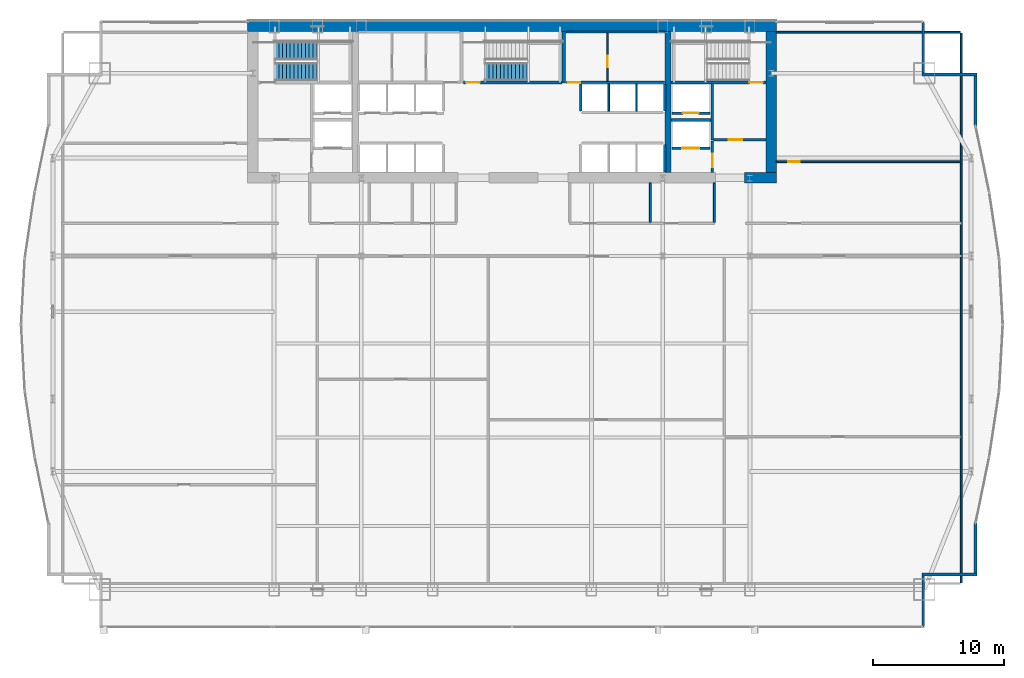
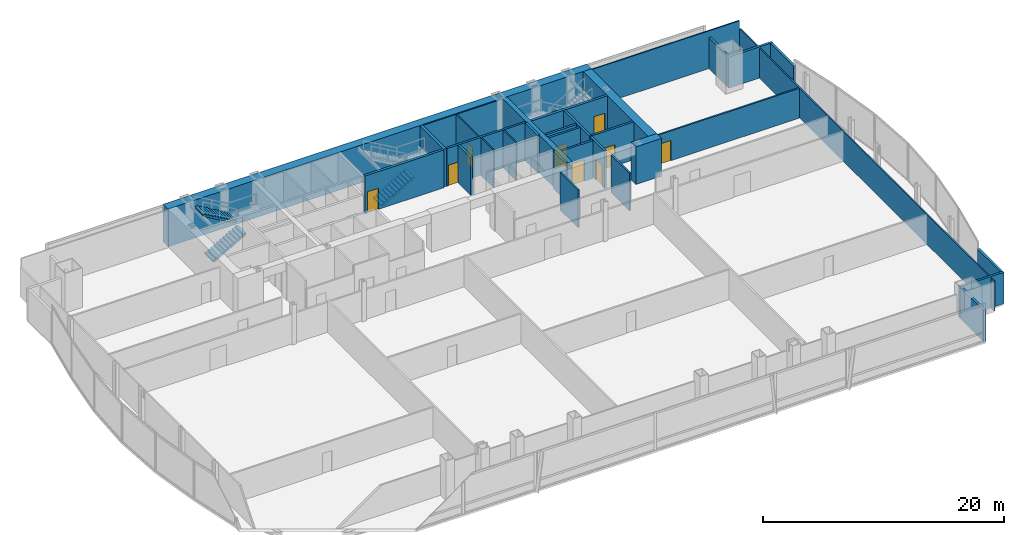
# One storey, part 33 of 36: 32 walls, 9 doors, 3 stair flights, 9 openings, 2 elements without a shape of their own.
"""IFC4 building model written with IfcOpenShell, lengths in metres."""

from ifc_helpers import new_model, si_unit, direction, frame, frame_2d, origin, place, context, subcontext, project, spatial, polyline, rectangle, outline, extrude, material, layer, layer_set, type_object, element, fill, aggregate, save


model = new_model("IFC4")

# Units and contexts
model_context = context("Model", 3, precision=1e-05, world=origin(), true_north=direction((0.0, 1.0)))
body_context = subcontext(model_context, "Body", "Model", "MODEL_VIEW")
ifc_project = project(units=[si_unit("LENGTHUNIT", "METRE"), si_unit("AREAUNIT", "SQUARE_METRE"), si_unit("VOLUMEUNIT", "CUBIC_METRE"), si_unit("PLANEANGLEUNIT", "RADIAN"), si_unit("MASSUNIT", "GRAM", prefix="KILO")], contexts=[model_context])

# Site, building, storey
site_placement = place(None, origin())
site = spatial("IfcSite", under=ifc_project, at=site_placement, CompositionType="ELEMENT")
building_placement = place(site_placement, origin())
building = spatial("IfcBuilding", under=site, at=building_placement, Name="Khoronbel Lancet Exchange", CompositionType="ELEMENT")
storey_placement = place(building_placement, frame((0.0, 0.0, 57.800048828125)))
storey = spatial("IfcBuildingStorey", under=building, at=storey_placement, Name="L13", CompositionType="ELEMENT", Elevation=57.800048828125)

# Walls
ifc_material_1 = material(Name="Concrete C80/95", Category="concrete")
ifc_layer_1 = layer(ifc_material_1, 0.800048828125, Name="Concrete C80/95")
ifc_layer_set_1 = layer_set([ifc_layer_1], Name="Concrete C80/95")
wall_type_1 = type_object("IfcWallType", Name="WL-CW1", PredefinedType="SHEAR", material=ifc_layer_set_1)
wall_1_placement = place(storey_placement, frame((16.199951171875, 53.300048828125, 0.0), z_axis=(0.0, 0.0, 1.0), x_axis=(1.0, 0.0, 0.0)))
element("IfcWall", 1, at=wall_1_placement, inside=storey, type_object=wall_type_1, Name="Level L13 rear core north shear wall", PredefinedType="SHEAR", context=body_context, shape_type="SweptSolid", body=[
    extrude(rectangle(XDim=40.5, YDim=0.800048828125, at=frame_2d((20.25, 0.0))), origin(), (0.0, 0.0, 1.0), 3.820068359375),
])
wall_2_placement = place(storey_placement, frame((56.300048828125, 52.89990234375, 0.0), z_axis=(0.0, 0.0, 1.0), x_axis=(0.0, -1.0, 0.0)))
element("IfcWall", 2, at=wall_2_placement, inside=storey, type_object=wall_type_1, Name="Level L13 rear core east shear wall", PredefinedType="SHEAR", context=body_context, shape_type="SweptSolid", body=[
    extrude(rectangle(XDim=10.7998046875, YDim=0.800048828125, at=frame_2d((5.39990234375, 0.0))), origin(), (0.0, 0.0, 1.0), 3.820068359375),
])
wall_3_placement = place(storey_placement, frame((56.699951171875, 41.699951171875, 0.0), z_axis=(0.0, 0.0, 1.0), x_axis=(-1.0, 0.0, 0.0)))
element("IfcWall", 3, at=wall_3_placement, inside=storey, type_object=wall_type_1, Name="Level L13 rear core south shear wall pier P5", PredefinedType="SHEAR", context=body_context, shape_type="SweptSolid", body=[
    extrude(rectangle(XDim=2.449951171875, YDim=0.800048828125, at=frame_2d((1.22509765625, 0.0))), origin(), (0.0, 0.0, 1.0), 3.820068359375),
])
ifc_material_2 = material(Name="Precast concrete C40/50", Category="concrete")
ifc_layer_2 = layer(ifc_material_2, 0.25, Name="Precast concrete C40/50")
ifc_layer_set_2 = layer_set([ifc_layer_2], Name="Precast concrete C40/50")
wall_type_2 = type_object("IfcWallType", Name="WL-EXT250", PredefinedType="SOLIDWALL", material=ifc_layer_set_2)
wall_4_placement = place(storey_placement, frame((67.9599609375, 53.6298828125, 0.0), z_axis=(0.0, 0.0, 1.0), x_axis=(0.0, -1.0, 0.0)))
element("IfcWall", 4, at=wall_4_placement, inside=storey, type_object=wall_type_2, Name="Level L13 notched-corner limestone pier 14", PredefinedType="SOLIDWALL", context=body_context, shape_type="SweptSolid", body=[
    extrude(rectangle(XDim=3.909912109375, YDim=0.219970703125, at=frame_2d((1.955078125, 0.0))), origin(), (0.0, 0.0, 1.0), 3.159912109375),
])
wall_5_placement = place(storey_placement, frame((67.85009765625, 49.610107421875, 0.0), z_axis=(0.0, 0.0, 1.0), x_axis=(1.0, 0.0, 0.0)))
element("IfcWall", 5, at=wall_5_placement, inside=storey, type_object=wall_type_2, Name="Level L13 notched-corner limestone pier 15", PredefinedType="SOLIDWALL", context=body_context, shape_type="SweptSolid", body=[
    extrude(rectangle(XDim=4.219970703125, YDim=0.219970703125, at=frame_2d((2.10986328125, 0.0))), origin(), (0.0, 0.0, 1.0), 3.159912109375),
])
wall_6_placement = place(storey_placement, frame((71.9599609375, 49.5, 0.0), z_axis=(0.0, 0.0, 1.0), x_axis=(0.0, -1.0, 0.0)))
element("IfcWall", 6, at=wall_6_placement, inside=storey, type_object=wall_type_2, Name="Level L13 notched-corner limestone pier 16", PredefinedType="SOLIDWALL", context=body_context, shape_type="SweptSolid", body=[
    extrude(rectangle(XDim=3.8291015625, YDim=0.219970703125, at=frame_2d((1.91455078125, 0.0))), origin(), (0.0, 0.0, 1.0), 3.159912109375),
])
wall_7_placement = place(storey_placement, frame((71.9599609375, 15.229248046875, 0.0), z_axis=(0.0, 0.0, 1.0), x_axis=(0.0, -1.0, 0.0)))
element("IfcWall", 7, at=wall_7_placement, inside=storey, type_object=wall_type_2, Name="Level L13 notched-corner limestone pier 23", PredefinedType="SOLIDWALL", context=body_context, shape_type="SweptSolid", body=[
    extrude(rectangle(XDim=3.829345703125, YDim=0.219970703125, at=frame_2d((1.91455078125, 0.0))), origin(), (0.0, 0.0, 1.0), 3.159912109375),
])
wall_8_placement = place(storey_placement, frame((72.070068359375, 11.2900390625, 0.0), z_axis=(0.0, 0.0, 1.0), x_axis=(-1.0, 0.0, 0.0)))
element("IfcWall", 8, at=wall_8_placement, inside=storey, type_object=wall_type_2, Name="Level L13 notched-corner limestone pier 24", PredefinedType="SOLIDWALL", context=body_context, shape_type="SweptSolid", body=[
    extrude(rectangle(XDim=4.219970703125, YDim=0.219970703125, at=frame_2d((2.10986328125, 0.0))), origin(), (0.0, 0.0, 1.0), 3.159912109375),
])
wall_9_placement = place(storey_placement, frame((67.9599609375, 11.179931640625, 0.0), z_axis=(0.0, 0.0, 1.0), x_axis=(0.0, -1.0, 0.0)))
element("IfcWall", 9, at=wall_9_placement, inside=storey, type_object=wall_type_2, Name="Level L13 notched-corner limestone pier 25", PredefinedType="SOLIDWALL", context=body_context, shape_type="SweptSolid", body=[
    extrude(rectangle(XDim=3.909912109375, YDim=0.219970703125, at=frame_2d((1.955078125, 0.0))), origin(), (0.0, 0.0, 1.0), 3.159912109375),
])
ifc_material_3 = material(Name="Acoustic Metal-Stud & Mineral-Wool Gypsum Partition 120 mm", Category="gypsum")
ifc_layer_3 = layer(ifc_material_3, 0.1201171875, Name="Acoustic Metal-Stud & Mineral-Wool Gypsum Partition 120 mm")
ifc_layer_set_3 = layer_set([ifc_layer_3], Name="Acoustic Metal-Stud & Mineral-Wool Gypsum Partition 120 mm")
wall_type_3 = type_object("IfcWallType", Name="WL-PRT120", PredefinedType="PARTITIONING", material=ifc_layer_set_3)
for number, where, z_axis, x_axis, name in (
    (10, (47.050048828125, 38.280029296875, 0.0), (0.0, 0.0, 1.0), (0.0, 1.0, 0.0), "Level L13 interior partition PW-NP-M"),
    (11, (51.949951171875, 38.280029296875, 0.0), (0.0, 0.0, 1.0), (0.0, 1.0, 0.0), "Level L13 interior partition PW-NP-1"),
):
    element("IfcWall", number, at=place(storey_placement, frame(where, z_axis=z_axis, x_axis=x_axis)), inside=storey, type_object=wall_type_3, Name=name, PredefinedType="PARTITIONING", context=body_context, shape_type="SweptSolid", body=[
        extrude(rectangle(XDim=3.02001953125, YDim=0.14990234375, at=frame_2d((1.510009765625, 0.0))), origin(), (0.0, 0.0, 1.0), 3.820068359375),
    ])

# Wall, opening, door
wall_10_placement = place(storey_placement, frame((56.699951171875, 42.919921875, 0.0), z_axis=(0.0, 0.0, 1.0), x_axis=(1.0, 0.0, 0.0)))
wall_10 = element("IfcWall", 12, at=wall_10_placement, inside=storey, type_object=wall_type_3, Name="Level L13 interior partition PW-NE-H", PredefinedType="PARTITIONING", context=body_context, shape_type="SweptSolid", body=[
    extrude(rectangle(XDim=14.10498046875, YDim=0.14990234375, at=frame_2d((7.052490234375, 0.0))), origin(), (0.0, 0.0, 1.0), 3.010009765625),
])
opening_1_placement = place(wall_10_placement, frame((0.89990234375, 0.0, 0.0)))
opening_1 = element("IfcOpeningElement", 13, at=opening_1_placement, cuts=wall_10, Name="Opening D5", PredefinedType="OPENING", context=body_context, shape_type="SweptSolid", body=[
    extrude(rectangle(XDim=0.89990234375, YDim=2.050048828125, at=frame_2d((0.449951171875, 1.02490234375))), frame((0.0, 0.0849609375, 0.0), z_axis=(0.0, -1.0, 0.0), x_axis=(1.0, 0.0, 0.0)), (0.0, 0.0, 1.0), 0.169921875),
])
ifc_material_4 = material(Name="Acoustic Timber Pantry & Support Door", Category="wood")
door_type_1 = type_object("IfcDoorType", Name="DR-D5", OperationType="NOTDEFINED", PredefinedType="DOOR", material=ifc_material_4)
door_1_placement = place(opening_1_placement, origin())
door_1 = element("IfcDoor", 14, at=door_1_placement, inside=storey, type_object=door_type_1, Name="NE north room door L13-1", OperationType="SINGLE_SWING_RIGHT", OverallHeight=2.050048828125, OverallWidth=0.89990234375, PredefinedType="DOOR", context=body_context, shape_type="SweptSolid", body=[
    extrude(rectangle(XDim=0.89990234375, YDim=2.050048828125, at=frame_2d((0.449951171875, 1.02490234375))), frame((0.0, 0.02490234375, 0.0), z_axis=(0.0, -1.0, 0.0), x_axis=(1.0, 0.0, 0.0)), (0.0, 0.0, 1.0), 0.050048828125),
])
fill(opening_1, door_1)

# Walls
wall_11_placement = place(storey_placement, frame((70.8701171875, 10.6650390625, 0.0), z_axis=(0.0, 0.0, 1.0), x_axis=(0.0, 1.0, 0.0)))
element("IfcWall", 15, at=wall_11_placement, inside=storey, type_object=wall_type_3, Name="Level L13 interior partition PW-LIN-E", PredefinedType="PARTITIONING", context=body_context, shape_type="SweptSolid", body=[
    extrude(rectangle(XDim=42.10986328125, YDim=0.1201171875, at=frame_2d((21.054931640625, 0.0))), origin(), (0.0, 0.0, 1.0), 3.010009765625),
])
wall_12_placement = place(storey_placement, frame((56.699951171875, 52.840087890625, 0.0), z_axis=(0.0, 0.0, 1.0), x_axis=(1.0, 0.0, 0.0)))
element("IfcWall", 16, at=wall_12_placement, inside=storey, type_object=wall_type_3, Name="Level L13 interior partition PW-LIN-NE", PredefinedType="PARTITIONING", context=body_context, shape_type="SweptSolid", body=[
    extrude(rectangle(XDim=14.10498046875, YDim=0.1201171875, at=frame_2d((7.052490234375, 0.0))), origin(), (0.0, 0.0, 1.0), 3.820068359375),
])
ifc_material_5 = material(Name="Fire-Rated Metal-Stud & Mineral-Wool Gypsum Partition 120 mm", Category="gypsum")
ifc_layer_4 = layer(ifc_material_5, 0.1201171875, Name="Fire-Rated Metal-Stud & Mineral-Wool Gypsum Partition 120 mm")
ifc_layer_set_4 = layer_set([ifc_layer_4], Name="Fire-Rated Metal-Stud & Mineral-Wool Gypsum Partition 120 mm")
wall_type_4 = type_object("IfcWallType", Name="WL-PRT120F", PredefinedType="PARTITIONING", material=ifc_layer_set_4)
for number, where, z_axis, x_axis, name in (
    (17, (43.860107421875, 46.804931640625, 0.0), (0.0, 0.0, 1.0), (0.0, 1.0, 0.0), "Level L13 interior partition CW-PH-D1"),
    (18, (46.0, 46.804931640625, 0.0), (0.0, 0.0, 1.0), (0.0, 1.0, 0.0), "Level L13 interior partition CW-PH-D2"),
):
    element("IfcWall", number, at=place(storey_placement, frame(where, z_axis=z_axis, x_axis=x_axis)), inside=storey, type_object=wall_type_4, Name=name, PredefinedType="PARTITIONING", context=body_context, shape_type="SweptSolid", body=[
        extrude(rectangle(XDim=2.090087890625, YDim=0.1201171875, at=frame_2d((1.044921875, 0.0))), origin(), (0.0, 0.0, 1.0), 3.820068359375),
    ])
wall_13_placement = place(storey_placement, frame((40.580078125, 52.860107421875, 0.0), z_axis=(0.0, 0.0, 1.0), x_axis=(1.0, 0.0, 0.0)))
element("IfcWall", 19, at=wall_13_placement, inside=storey, type_object=wall_type_4, Name="Level L13 interior partition CW-SUP-NE-N", PredefinedType="PARTITIONING", context=body_context, shape_type="SweptSolid", body=[
    extrude(rectangle(XDim=7.559814453125, YDim=0.1201171875, at=frame_2d((3.77978515625, 0.0))), origin(), (0.0, 0.0, 1.0), 3.820068359375),
])

# Wall, opening, door
wall_14_placement = place(storey_placement, frame((43.755126953125, 49.10498046875, 0.0), z_axis=(0.0, 0.0, 1.0), x_axis=(0.0, 1.0, 0.0)))
wall_14 = element("IfcWall", 20, at=wall_14_placement, inside=storey, type_object=wall_type_4, Name="Level L13 interior partition CW-SUP-NE-M", PredefinedType="PARTITIONING", context=body_context, shape_type="SweptSolid", body=[
    extrude(rectangle(XDim=3.68994140625, YDim=0.1201171875, at=frame_2d((1.844970703125, 0.0))), origin(), (0.0, 0.0, 1.0), 3.820068359375),
])
opening_2_placement = place(wall_14_placement, frame((1.050048828125, 0.0, 0.0)))
opening_2 = element("IfcOpeningElement", 21, at=opening_2_placement, cuts=wall_14, Name="Opening FD4", PredefinedType="OPENING", context=body_context, shape_type="SweptSolid", body=[
    extrude(rectangle(XDim=0.89990234375, YDim=2.050048828125, at=frame_2d((0.449951171875, 1.02490234375))), frame((0.0, 0.070068359375, 0.0), z_axis=(0.0, -1.0, 0.0), x_axis=(1.0, 0.0, 0.0)), (0.0, 0.0, 1.0), 0.14013671875),
])
ifc_material_6 = material(Name="Fire-Rated Steel Core Support Door Assembly", Category="steel")
door_type_2 = type_object("IfcDoorType", Name="DR-FD4", OperationType="NOTDEFINED", PredefinedType="DOOR", material=ifc_material_6)
door_2_placement = place(opening_2_placement, origin())
door_2 = element("IfcDoor", 22, at=door_2_placement, inside=storey, type_object=door_type_2, Name="Core NE inner support door L13-1", OperationType="SINGLE_SWING_LEFT", OverallHeight=2.050048828125, OverallWidth=0.89990234375, PredefinedType="DOOR", context=body_context, shape_type="SweptSolid", body=[
    extrude(rectangle(XDim=0.89990234375, YDim=2.050048828125, at=frame_2d((0.449951171875, 1.02490234375))), frame((0.0, 0.02490234375, 0.0), z_axis=(0.0, -1.0, 0.0), x_axis=(1.0, 0.0, 0.0)), (0.0, 0.0, 1.0), 0.050048828125),
])
fill(opening_2, door_2)

ifc_material_7 = material(Name="Autoclaved Aerated Concrete Blockwork 200 mm", Category="masonry")
ifc_layer_5 = layer(ifc_material_7, 0.199951171875, Name="Autoclaved Aerated Concrete Blockwork 200 mm")
ifc_layer_set_5 = layer_set([ifc_layer_5], Name="Autoclaved Aerated Concrete Blockwork 200 mm")
wall_type_5 = type_object("IfcWallType", Name="WL-PRT200", PredefinedType="PARTITIONING", material=ifc_layer_set_5)
wall_15_placement = place(storey_placement, frame((51.610107421875, 43.949951171875, 0.0), z_axis=(0.0, 0.0, 1.0), x_axis=(-1.0, 0.0, 0.0)))
wall_15 = element("IfcWall", 23, at=wall_15_placement, inside=storey, type_object=wall_type_5, Name="Level L13 elevator hoistway landing front wall SVLE", PredefinedType="PARTITIONING", context=body_context, shape_type="SweptSolid", body=[
    extrude(rectangle(XDim=2.920166015625, YDim=0.199951171875, at=frame_2d((1.4599609375, 0.0))), origin(), (0.0, 0.0, 1.0), 3.820068359375),
])
opening_3_placement = place(wall_15_placement, frame((0.81005859375, 0.0, 0.0)))
opening_3 = element("IfcOpeningElement", 24, at=opening_3_placement, cuts=wall_15, Name="Opening LD-SVL2", PredefinedType="OPENING", context=body_context, shape_type="SweptSolid", body=[
    extrude(rectangle(XDim=1.300048828125, YDim=2.179931640625, at=frame_2d((0.64990234375, 1.08984375))), frame((0.0, 0.10986328125, 0.0), z_axis=(0.0, -1.0, 0.0), x_axis=(1.0, 0.0, 0.0)), (0.0, 0.0, 1.0), 0.219970703125),
])
ifc_material_8 = material(Name="Heavy-Duty Bi-Parting Goods Lift Landing Door", Category="steel")
door_type_3 = type_object("IfcDoorType", Name="DR-LD-SVL", OperationType="NOTDEFINED", PredefinedType="DOOR", material=ifc_material_8)
door_3_placement = place(opening_3_placement, origin())
door_3 = element("IfcDoor", 25, at=door_3_placement, inside=storey, type_object=door_type_3, Name="Elevator landing sliding door LD-SVL2 L13", OperationType="SLIDING_TO_LEFT", OverallHeight=2.179931640625, OverallWidth=1.300048828125, PredefinedType="DOOR", context=body_context, shape_type="SweptSolid", body=[
    extrude(rectangle(XDim=1.300048828125, YDim=2.179931640625, at=frame_2d((0.64990234375, 1.08984375))), frame((0.0, 0.02490234375, 0.0), z_axis=(0.0, -1.0, 0.0), x_axis=(1.0, 0.0, 0.0)), (0.0, 0.0, 1.0), 0.050048828125),
])
fill(opening_3, door_3)

wall_16_placement = place(storey_placement, frame((51.610107421875, 46.64990234375, 0.0), z_axis=(0.0, 0.0, 1.0), x_axis=(-1.0, 0.0, 0.0)))
wall_16 = element("IfcWall", 26, at=wall_16_placement, inside=storey, type_object=wall_type_5, Name="Level L13 elevator hoistway landing front wall FFLE", PredefinedType="PARTITIONING", context=body_context, shape_type="SweptSolid", body=[
    extrude(rectangle(XDim=2.920166015625, YDim=0.199951171875, at=frame_2d((1.4599609375, 0.0))), origin(), (0.0, 0.0, 1.0), 3.820068359375),
])
opening_4_placement = place(wall_16_placement, frame((0.860107421875, 0.0, 0.0)))
opening_4 = element("IfcOpeningElement", 27, at=opening_4_placement, cuts=wall_16, Name="Opening LD-FFL2", PredefinedType="OPENING", context=body_context, shape_type="SweptSolid", body=[
    extrude(rectangle(XDim=1.199951171875, YDim=2.179931640625, at=frame_2d((0.60009765625, 1.08984375))), frame((0.0, 0.10986328125, 0.0), z_axis=(0.0, -1.0, 0.0), x_axis=(1.0, 0.0, 0.0)), (0.0, 0.0, 1.0), 0.219970703125),
])
ifc_material_9 = material(Name="Fire-Rated Stainless Bi-Parting Firefighting Lift Door", Category="steel")
door_type_4 = type_object("IfcDoorType", Name="DR-LD-FFL", OperationType="NOTDEFINED", PredefinedType="DOOR", material=ifc_material_9)
door_4_placement = place(opening_4_placement, origin())
door_4 = element("IfcDoor", 28, at=door_4_placement, inside=storey, type_object=door_type_4, Name="Elevator landing sliding door LD-FFL2 L13", OperationType="SLIDING_TO_LEFT", OverallHeight=2.179931640625, OverallWidth=1.199951171875, PredefinedType="DOOR", context=body_context, shape_type="SweptSolid", body=[
    extrude(rectangle(XDim=1.199951171875, YDim=2.179931640625, at=frame_2d((0.60009765625, 1.08984375))), frame((0.0, 0.02490234375, 0.0), z_axis=(0.0, -1.0, 0.0), x_axis=(1.0, 0.0, 0.0)), (0.0, 0.0, 1.0), 0.050048828125),
])
fill(opening_4, door_4)

# Wall
wall_17_placement = place(storey_placement, frame((51.800048828125, 44.60009765625, 0.0), z_axis=(0.0, 0.0, 1.0), x_axis=(0.0, 1.0, 0.0)))
element("IfcWall", 29, at=wall_17_placement, inside=storey, type_object=wall_type_5, Name="Level L13 interior partition CW-FFLE-W", PredefinedType="PARTITIONING", context=body_context, shape_type="SweptSolid", body=[
    extrude(rectangle(XDim=4.2998046875, YDim=0.199951171875, at=frame_2d((2.14990234375, 0.0))), origin(), (0.0, 0.0, 1.0), 3.820068359375),
])

# Wall, opening, door
wall_18_placement = place(storey_placement, frame((51.89990234375, 44.60009765625, 0.0), z_axis=(0.0, 0.0, 1.0), x_axis=(1.0, 0.0, 0.0)))
wall_18 = element("IfcWall", 30, at=wall_18_placement, inside=storey, type_object=wall_type_5, Name="Level L13 interior partition CW-FFLE-S", PredefinedType="PARTITIONING", context=body_context, shape_type="SweptSolid", body=[
    extrude(rectangle(XDim=4.0, YDim=0.199951171875, at=frame_2d((2.0, 0.0))), origin(), (0.0, 0.0, 1.0), 3.820068359375),
])
opening_5_placement = place(wall_18_placement, frame((1.14990234375, 0.0, 0.0)))
opening_5 = element("IfcOpeningElement", 31, at=opening_5_placement, cuts=wall_18, Name="Opening FD1", PredefinedType="OPENING", context=body_context, shape_type="SweptSolid", body=[
    extrude(rectangle(XDim=1.050048828125, YDim=2.14990234375, at=frame_2d((0.52490234375, 1.074951171875))), frame((0.0, 0.10986328125, 0.0), z_axis=(0.0, -1.0, 0.0), x_axis=(1.0, 0.0, 0.0)), (0.0, 0.0, 1.0), 0.219970703125),
])
ifc_material_10 = material(Name="Fire-Rated Painted Steel Door Assembly", Category="steel")
door_type_5 = type_object("IfcDoorType", Name="DR-FD1", OperationType="NOTDEFINED", PredefinedType="DOOR", material=ifc_material_10)
door_5_placement = place(opening_5_placement, origin())
door_5 = element("IfcDoor", 32, at=door_5_placement, inside=storey, type_object=door_type_5, Name="East firefighting lobby FD90S door L13-1", OperationType="SINGLE_SWING_LEFT", OverallHeight=2.14990234375, OverallWidth=1.050048828125, PredefinedType="DOOR", context=body_context, shape_type="SweptSolid", body=[
    extrude(rectangle(XDim=1.050048828125, YDim=2.14990234375, at=frame_2d((0.52490234375, 1.074951171875))), frame((0.0, 0.02490234375, 0.0), z_axis=(0.0, -1.0, 0.0), x_axis=(1.0, 0.0, 0.0)), (0.0, 0.0, 1.0), 0.050048828125),
])
fill(opening_5, door_5)

# Wall
wall_19_placement = place(storey_placement, frame((48.6298828125, 46.1201171875, 0.0), z_axis=(0.0, 0.0, 1.0), x_axis=(1.0, 0.0, 0.0)))
element("IfcWall", 33, at=wall_19_placement, inside=storey, type_object=wall_type_5, Name="Level L13 interior partition CW-FFL2-S", PredefinedType="PARTITIONING", context=body_context, shape_type="SweptSolid", body=[
    extrude(rectangle(XDim=3.070068359375, YDim=0.199951171875, at=frame_2d((1.53515625, 0.0))), origin(), (0.0, 0.0, 1.0), 3.820068359375),
])

# Wall, opening, door
wall_20_placement = place(storey_placement, frame((51.800048828125, 42.10009765625, 0.0), z_axis=(0.0, 0.0, 1.0), x_axis=(0.0, 1.0, 0.0)))
wall_20 = element("IfcWall", 34, at=wall_20_placement, inside=storey, type_object=wall_type_5, Name="Level L13 interior partition CW-SVLE-E", PredefinedType="PARTITIONING", context=body_context, shape_type="SweptSolid", body=[
    extrude(rectangle(XDim=2.39501953125, YDim=0.199951171875, at=frame_2d((1.197509765625, 0.0))), origin(), (0.0, 0.0, 1.0), 3.820068359375),
])
opening_6_placement = place(wall_20_placement, frame((0.3798828125, 0.0, 0.0)))
opening_6 = element("IfcOpeningElement", 35, at=opening_6_placement, cuts=wall_20, Name="Opening FD1", PredefinedType="OPENING", context=body_context, shape_type="SweptSolid", body=[
    extrude(rectangle(XDim=1.050048828125, YDim=2.14990234375, at=frame_2d((0.52490234375, 1.074951171875))), frame((0.0, 0.10986328125, 0.0), z_axis=(0.0, -1.0, 0.0), x_axis=(1.0, 0.0, 0.0)), (0.0, 0.0, 1.0), 0.219970703125),
])
door_6_placement = place(opening_6_placement, origin())
door_6 = element("IfcDoor", 36, at=door_6_placement, inside=storey, type_object=door_type_5, Name="East service lift lobby door L13-1", OperationType="SINGLE_SWING_RIGHT", OverallHeight=2.14990234375, OverallWidth=1.050048828125, PredefinedType="DOOR", context=body_context, shape_type="SweptSolid", body=[
    extrude(rectangle(XDim=1.050048828125, YDim=2.14990234375, at=frame_2d((0.52490234375, 1.074951171875))), frame((0.0, 0.02490234375, 0.0), z_axis=(0.0, -1.0, 0.0), x_axis=(1.0, 0.0, 0.0)), (0.0, 0.0, 1.0), 0.050048828125),
])
fill(opening_6, door_6)

# Walls
for number, where, z_axis, x_axis, name in (
    (37, (41.719970703125, 46.804931640625, 0.0), (0.0, 0.0, 1.0), (0.0, 1.0, 0.0), "Level L13 interior partition CW-PH-W"),
    (38, (48.139892578125, 46.804931640625, 0.0), (0.0, 0.0, 1.0), (0.0, 1.0, 0.0), "Level L13 interior partition CW-PH-E"),
):
    element("IfcWall", number, at=place(storey_placement, frame(where, z_axis=z_axis, x_axis=x_axis)), inside=storey, type_object=wall_type_5, Name=name, PredefinedType="PARTITIONING", context=body_context, shape_type="SweptSolid", body=[
        extrude(rectangle(XDim=2.090087890625, YDim=0.199951171875, at=frame_2d((1.044921875, 0.0))), origin(), (0.0, 0.0, 1.0), 3.820068359375),
    ])
wall_21_placement = place(storey_placement, frame((48.139892578125, 42.14990234375, 0.0), z_axis=(0.0, 0.0, 1.0), x_axis=(0.0, 1.0, 0.0)))
element("IfcWall", 39, at=wall_21_placement, inside=storey, type_object=wall_type_5, Name="Level L13 interior partition CW-PX-E", PredefinedType="PARTITIONING", context=body_context, shape_type="SweptSolid", body=[
    extrude(rectangle(XDim=2.09521484375, YDim=0.199951171875, at=frame_2d((1.047607421875, 0.0))), origin(), (0.0, 0.0, 1.0), 3.820068359375),
])

# Wall, opening, door
wall_22_placement = place(storey_placement, frame((40.580078125, 49.0, 0.0), z_axis=(0.0, 0.0, 1.0), x_axis=(1.0, 0.0, 0.0)))
wall_22 = element("IfcWall", 40, at=wall_22_placement, inside=storey, type_object=wall_type_5, Name="Level L13 interior partition CW-SUP-NE-S", PredefinedType="PARTITIONING", context=body_context, shape_type="SweptSolid", body=[
    extrude(rectangle(XDim=7.559814453125, YDim=0.199951171875, at=frame_2d((3.77978515625, 0.0))), origin(), (0.0, 0.0, 1.0), 3.820068359375),
])
opening_7_placement = place(wall_22_placement, frame((0.159912109375, 0.0, 0.0)))
opening_7 = element("IfcOpeningElement", 41, at=opening_7_placement, cuts=wall_22, Name="Opening FD3", PredefinedType="OPENING", context=body_context, shape_type="SweptSolid", body=[
    extrude(rectangle(XDim=0.949951171875, YDim=2.10009765625, at=frame_2d((0.47509765625, 1.050048828125))), frame((0.0, 0.10986328125, 0.0), z_axis=(0.0, -1.0, 0.0), x_axis=(1.0, 0.0, 0.0)), (0.0, 0.0, 1.0), 0.219970703125),
])
ifc_material_11 = material(Name="Fire-Rated Steel Plant & Riser Door Assembly", Category="steel")
door_type_6 = type_object("IfcDoorType", Name="DR-FD3", OperationType="NOTDEFINED", PredefinedType="DOOR", material=ifc_material_11)
door_7_placement = place(opening_7_placement, origin())
door_7 = element("IfcDoor", 42, at=door_7_placement, inside=storey, type_object=door_type_6, Name="Core NE support room door L13-1", OperationType="SINGLE_SWING_RIGHT", OverallHeight=2.10009765625, OverallWidth=0.949951171875, PredefinedType="DOOR", context=body_context, shape_type="SweptSolid", body=[
    extrude(rectangle(XDim=0.949951171875, YDim=2.10009765625, at=frame_2d((0.47509765625, 1.050048828125))), frame((0.0, 0.02490234375, 0.0), z_axis=(0.0, -1.0, 0.0), x_axis=(1.0, 0.0, 0.0)), (0.0, 0.0, 1.0), 0.050048828125),
])
fill(opening_7, door_7)

# Walls
ifc_layer_6 = layer(ifc_material_1, 0.449951171875, Name="Concrete C80/95")
ifc_layer_set_6 = layer_set([ifc_layer_6], Name="Concrete C80/95")
wall_type_6 = type_object("IfcWallType", Name="WL-SW1", PredefinedType="SHEAR", material=ifc_layer_set_6)
wall_23_placement = place(storey_placement, frame((48.39990234375, 42.10009765625, 0.0), z_axis=(0.0, 0.0, 1.0), x_axis=(0.0, 1.0, 0.0)))
element("IfcWall", 43, at=wall_23_placement, inside=storey, type_object=wall_type_6, Name="Level L13 rear core internal spine shear wall IE", PredefinedType="SHEAR", context=body_context, shape_type="SweptSolid", body=[
    extrude(rectangle(XDim=10.7998046875, YDim=0.449951171875, at=frame_2d((5.39990234375, 0.0))), origin(), (0.0, 0.0, 1.0), 3.820068359375),
])
ifc_material_12 = material(Name="Concrete C60/75", Category="concrete")
ifc_layer_7 = layer(ifc_material_12, 0.260009765625, Name="Concrete C60/75")
ifc_layer_set_7 = layer_set([ifc_layer_7], Name="Concrete C60/75")
wall_type_7 = type_object("IfcWallType", Name="WL-SW3", PredefinedType="SHEAR", material=ifc_layer_set_7)
wall_24_placement = place(storey_placement, frame((40.419921875, 48.949951171875, 0.0), z_axis=(0.0, 0.0, 1.0), x_axis=(0.0, 1.0, 0.0)))
element("IfcWall", 44, at=wall_24_placement, inside=storey, type_object=wall_type_7, Name="Level L13 central stairwell structural shear wall ST3E", PredefinedType="SHEAR", context=body_context, shape_type="SweptSolid", body=[
    extrude(rectangle(XDim=3.949951171875, YDim=0.260009765625, at=frame_2d((1.97509765625, 0.0))), origin(), (0.0, 0.0, 1.0), 3.820068359375),
])

# Wall, opening, door
wall_25_placement = place(storey_placement, frame((48.6298828125, 48.97998046875, 0.0), z_axis=(0.0, 0.0, 1.0), x_axis=(1.0, 0.0, 0.0)))
wall_25 = element("IfcWall", 45, at=wall_25_placement, inside=storey, type_object=wall_type_7, Name="Level L13 east stairwell structural south wall", PredefinedType="SHEAR", context=body_context, shape_type="SweptSolid", body=[
    extrude(rectangle(XDim=7.27001953125, YDim=0.239990234375, at=frame_2d((3.635009765625, 0.0))), origin(), (0.0, 0.0, 1.0), 3.820068359375),
])
opening_8_placement = place(wall_25_placement, frame((6.0, 0.0, 0.0)))
opening_8 = element("IfcOpeningElement", 46, at=opening_8_placement, cuts=wall_25, Name="Opening SD1", PredefinedType="OPENING", context=body_context, shape_type="SweptSolid", body=[
    extrude(rectangle(XDim=1.050048828125, YDim=2.14990234375, at=frame_2d((0.52490234375, 1.074951171875))), frame((0.0, 0.1298828125, 0.0), z_axis=(0.0, -1.0, 0.0), x_axis=(1.0, 0.0, 0.0)), (0.0, 0.0, 1.0), 0.260009765625),
])
ifc_material_13 = material(Name="Fire-Rated Steel Stairwell Door Assembly", Category="steel")
door_type_7 = type_object("IfcDoorType", Name="DR-SD1", OperationType="NOTDEFINED", PredefinedType="DOOR", material=ifc_material_13)
door_8_placement = place(opening_8_placement, origin())
door_8 = element("IfcDoor", 47, at=door_8_placement, inside=storey, type_object=door_type_7, Name="Protected exit stair ST2 door L13", OperationType="SINGLE_SWING_RIGHT", OverallHeight=2.14990234375, OverallWidth=1.050048828125, PredefinedType="DOOR", context=body_context, shape_type="SweptSolid", body=[
    extrude(rectangle(XDim=1.050048828125, YDim=2.14990234375, at=frame_2d((0.52490234375, 1.074951171875))), frame((0.0, 0.02490234375, 0.0), z_axis=(0.0, -1.0, 0.0), x_axis=(1.0, 0.0, 0.0)), (0.0, 0.0, 1.0), 0.050048828125),
])
fill(opening_8, door_8)

wall_26_placement = place(storey_placement, frame((32.719970703125, 48.97998046875, 0.0), z_axis=(0.0, 0.0, 1.0), x_axis=(1.0, 0.0, 0.0)))
wall_26 = element("IfcWall", 48, at=wall_26_placement, inside=storey, type_object=wall_type_7, Name="Level L13 central stairwell structural south wall", PredefinedType="SHEAR", context=body_context, shape_type="SweptSolid", body=[
    extrude(rectangle(XDim=7.56005859375, YDim=0.239990234375, at=frame_2d((3.780029296875, 0.0))), origin(), (0.0, 0.0, 1.0), 3.820068359375),
])
opening_9_placement = place(wall_26_placement, frame((0.219970703125, 0.0, 0.0)))
opening_9 = element("IfcOpeningElement", 49, at=opening_9_placement, cuts=wall_26, Name="Opening SD1", PredefinedType="OPENING", context=body_context, shape_type="SweptSolid", body=[
    extrude(rectangle(XDim=1.050048828125, YDim=2.14990234375, at=frame_2d((0.52490234375, 1.074951171875))), frame((0.0, 0.1298828125, 0.0), z_axis=(0.0, -1.0, 0.0), x_axis=(1.0, 0.0, 0.0)), (0.0, 0.0, 1.0), 0.260009765625),
])
door_9_placement = place(opening_9_placement, origin())
door_9 = element("IfcDoor", 50, at=door_9_placement, inside=storey, type_object=door_type_7, Name="Protected exit stair ST3 door L13", OperationType="SINGLE_SWING_LEFT", OverallHeight=2.14990234375, OverallWidth=1.050048828125, PredefinedType="DOOR", context=body_context, shape_type="SweptSolid", body=[
    extrude(rectangle(XDim=1.050048828125, YDim=2.14990234375, at=frame_2d((0.52490234375, 1.074951171875))), frame((0.0, 0.02490234375, 0.0), z_axis=(0.0, -1.0, 0.0), x_axis=(1.0, 0.0, 0.0)), (0.0, 0.0, 1.0), 0.050048828125),
])
fill(opening_9, door_9)

# Stair, stair flights
ifc_material_14 = material(Name="Concrete C40/50", Category="concrete")
stair_type = type_object("IfcStairType", Name="STR-CORE150", PredefinedType="HALF_TURN_STAIR", material=ifc_material_14)
stair_1_placement = place(storey_placement, origin())
stair_1 = element("IfcStair", 51, at=stair_1_placement, inside=storey, type_object=stair_type, Name="L13 Protected Exit Stair ST1", PredefinedType="HALF_TURN_STAIR")
stair_flight_type = type_object("IfcStairFlightType", Name="STF-150", PredefinedType="STRAIGHT", material=ifc_material_14)
stair_flight_1_placement = place(storey_placement, frame((18.300048828125, 49.81005859375, 0.0), z_axis=(0.0, 0.0, 1.0), x_axis=(1.0, 0.0, 0.0)))
stair_flight_1 = element("IfcStairFlight", 52, at=stair_flight_1_placement, type_object=stair_flight_type, Name="ST1 flight 1", NumberOfRisers=12, NumberOfTreads=11, PredefinedType="STRAIGHT", RiserHeight=0.166666667, TreadLength=0.29, context=body_context, shape_type="SweptSolid", body=[
    extrude(outline(polyline([(0.0, 0.0), (0.0, 0.166748046875), (0.2900390625, 0.166748046875), (0.2900390625, 0.333251953125), (0.580078125, 0.333251953125), (0.580078125, 0.5), (0.8701171875, 0.5), (0.8701171875, 0.666748046875), (1.159912109375, 0.666748046875), (1.159912109375, 0.833251953125), (1.449951171875, 0.833251953125), (1.449951171875, 1.0), (1.739990234375, 1.0), (1.739990234375, 1.166748046875), (2.030029296875, 1.166748046875), (2.030029296875, 1.333251953125), (2.320068359375, 1.333251953125), (2.320068359375, 1.5), (2.610107421875, 1.5), (2.610107421875, 1.666748046875), (2.89990234375, 1.666748046875), (2.89990234375, 1.833251953125), (3.18994140625, 1.833251953125), (3.18994140625, 2.0), (3.18994140625, 1.660400390625), (0.30078125, 0.0), (0.0, 0.0)])), frame((0.0, 0.68994140625, 0.0), z_axis=(0.0, -1.0, 0.0), x_axis=(1.0, 0.0, 0.0)), (0.0, 0.0, 1.0), 1.3798828125),
])
stair_flight_2_placement = place(storey_placement, frame((21.489990234375, 51.409912109375, 2.0), z_axis=(0.0, 0.0, 1.0), x_axis=(-1.0, 0.0, 0.0)))
stair_flight_2 = element("IfcStairFlight", 53, at=stair_flight_2_placement, type_object=stair_flight_type, Name="ST1 flight 2", NumberOfRisers=12, NumberOfTreads=11, PredefinedType="STRAIGHT", RiserHeight=0.166666667, TreadLength=0.29, context=body_context, shape_type="SweptSolid", body=[
    extrude(outline(polyline([(0.0, 0.0), (0.0, 0.166748046875), (0.2900390625, 0.166748046875), (0.2900390625, 0.333251953125), (0.580078125, 0.333251953125), (0.580078125, 0.5), (0.8701171875, 0.5), (0.8701171875, 0.666748046875), (1.159912109375, 0.666748046875), (1.159912109375, 0.833251953125), (1.449951171875, 0.833251953125), (1.449951171875, 1.0), (1.739990234375, 1.0), (1.739990234375, 1.166748046875), (2.030029296875, 1.166748046875), (2.030029296875, 1.333251953125), (2.320068359375, 1.333251953125), (2.320068359375, 1.5), (2.610107421875, 1.5), (2.610107421875, 1.666748046875), (2.89990234375, 1.666748046875), (2.89990234375, 1.833251953125), (3.18994140625, 1.833251953125), (3.18994140625, 2.0), (3.18994140625, 1.660400390625), (0.30078125, 0.0), (0.0, 0.0)])), frame((0.0, 0.68994140625, 0.0), z_axis=(0.0, -1.0, 0.0), x_axis=(1.0, 0.0, 0.0)), (0.0, 0.0, 1.0), 1.3798828125),
])
aggregate(stair_1, [stair_flight_1, stair_flight_2])

# Stair, stair flight
stair_2_placement = place(storey_placement, origin())
stair_2 = element("IfcStair", 54, at=stair_2_placement, inside=storey, type_object=stair_type, Name="L13 Protected Exit Stair ST3", PredefinedType="HALF_TURN_STAIR")
stair_flight_3_placement = place(storey_placement, frame((34.39990234375, 49.81005859375, 0.0), z_axis=(0.0, 0.0, 1.0), x_axis=(1.0, 0.0, 0.0)))
stair_flight_3 = element("IfcStairFlight", 55, at=stair_flight_3_placement, type_object=stair_flight_type, Name="ST3 flight 1", NumberOfRisers=12, NumberOfTreads=11, PredefinedType="STRAIGHT", RiserHeight=0.166666667, TreadLength=0.29, context=body_context, shape_type="SweptSolid", body=[
    extrude(outline(polyline([(0.0, 0.0), (0.0, 0.166748046875), (0.2900390625, 0.166748046875), (0.2900390625, 0.333251953125), (0.580078125, 0.333251953125), (0.580078125, 0.5), (0.8701171875, 0.5), (0.8701171875, 0.666748046875), (1.159912109375, 0.666748046875), (1.159912109375, 0.833251953125), (1.449951171875, 0.833251953125), (1.449951171875, 1.0), (1.739990234375, 1.0), (1.739990234375, 1.166748046875), (2.030029296875, 1.166748046875), (2.030029296875, 1.333251953125), (2.320068359375, 1.333251953125), (2.320068359375, 1.5), (2.610107421875, 1.5), (2.610107421875, 1.666748046875), (2.89990234375, 1.666748046875), (2.89990234375, 1.833251953125), (3.18994140625, 1.833251953125), (3.18994140625, 2.0), (3.18994140625, 1.660400390625), (0.30078125, 0.0), (0.0, 0.0)])), frame((0.0, 0.68994140625, 0.0), z_axis=(0.0, -1.0, 0.0), x_axis=(1.0, 0.0, 0.0)), (0.0, 0.0, 1.0), 1.3798828125),
])
aggregate(stair_2, [stair_flight_3])

save(model, "model.ifc")
